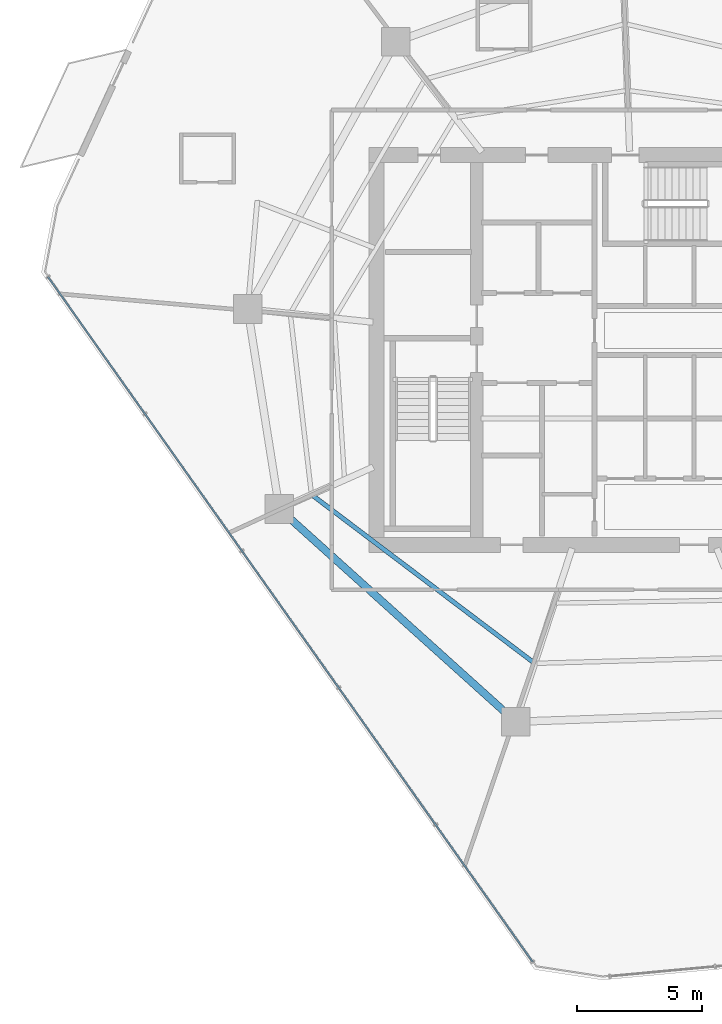
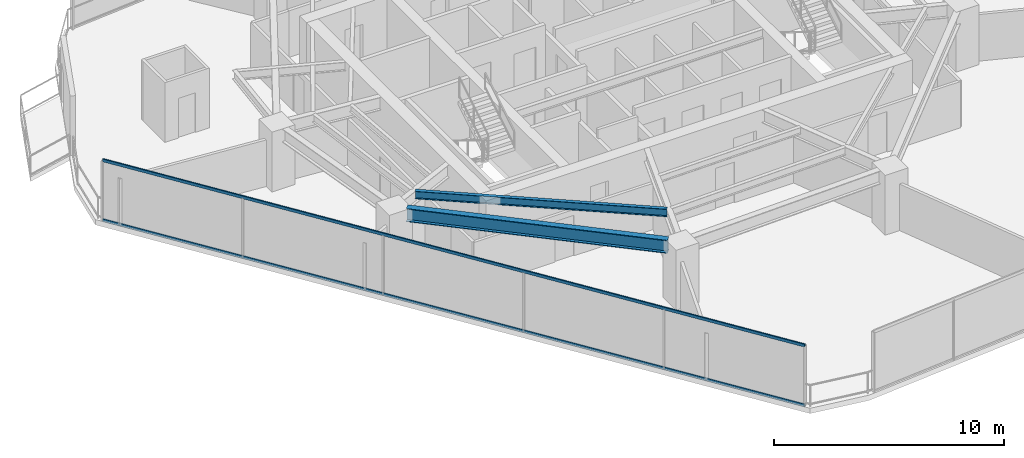
# One storey, part 3 of 30: 2 beams, 2 members, 1 element without a shape of its own.
"""IFC4 building model written with IfcOpenShell, lengths in metres."""

from ifc_helpers import new_model, si_unit, direction, frame, origin, origin_2d, place, context, subcontext, project, spatial, hollow_rectangle, i_section, extrude, material, layer, layer_set, material_profile, profile_set, type_object, element, aggregate, save


model = new_model("IFC4")

# Units and contexts
model_context = context("Model", 3, precision=1e-05, world=origin(), true_north=direction((0.0, 1.0)))
body_context = subcontext(model_context, "Body", "Model", "MODEL_VIEW")
ifc_project = project(units=[si_unit("LENGTHUNIT", "METRE"), si_unit("AREAUNIT", "SQUARE_METRE"), si_unit("VOLUMEUNIT", "CUBIC_METRE"), si_unit("PLANEANGLEUNIT", "RADIAN"), si_unit("MASSUNIT", "GRAM", prefix="KILO")], contexts=[model_context])

# Site, building, storey
site_placement = place(None, origin())
site = spatial("IfcSite", under=ifc_project, at=site_placement, CompositionType="ELEMENT")
building_placement = place(site_placement, origin())
building = spatial("IfcBuilding", under=site, at=building_placement, Name="Qarnah Convention Tower", CompositionType="ELEMENT")
storey_placement = place(building_placement, frame((0.0, 0.0, 86.699951171875)))
storey = spatial("IfcBuildingStorey", under=building, at=storey_placement, Name="L22", CompositionType="ELEMENT", Elevation=86.699951171875)

# Beams
ifc_material_1 = material(Name="Structural steel S355JR", Category="steel")
ifc_material_profile_1 = material_profile(ifc_material_1, i_section(OverallWidth=0.177978515625, OverallDepth=0.407958984375, WebThickness=0.008056640625, FlangeThickness=0.012939453125, at=origin_2d()), Name="W410X60")
ifc_profile_set_1 = profile_set([ifc_material_profile_1], Name="Structural steel S355JR")
beam_type_1 = type_object("IfcBeamType", Name="BM-JST-W410", PredefinedType="JOIST", material=ifc_profile_set_1)
beam_1_placement = place(storey_placement, frame((24.260986328125, 20.553955078125, 2.966064453125), z_axis=(0.797697280495, -0.603058080694, 0.0), x_axis=(0.603058080694, 0.797697280495, 0.0)))
element("IfcBeam", 1, at=beam_1_placement, inside=storey, type_object=beam_type_1, Name="L22 joist BM-L22-SJST-06", PredefinedType="JOIST", context=body_context, shape_type="SweptSolid", body=[
    extrude(i_section(OverallWidth=0.177978515625, OverallDepth=0.407958984375, WebThickness=0.008056640625, FlangeThickness=0.012939453125, at=origin_2d()), origin(), (0.0, 0.0, 1.0), 11.0205078125),
])
ifc_material_profile_2 = material_profile(ifc_material_1, i_section(OverallWidth=0.300048828125, OverallDepth=0.699951171875, WebThickness=0.01708984375, FlangeThickness=0.031982421875, at=origin_2d()), Name="HEB700")
ifc_profile_set_2 = profile_set([ifc_material_profile_2], Name="Structural steel S355JR")
beam_type_2 = type_object("IfcBeamType", Name="BM-RING-HEB700", PredefinedType="BEAM", material=ifc_profile_set_2)
beam_2_placement = place(storey_placement, frame((23.322998046875, 19.656982421875, 2.820068359375), z_axis=(0.743124603424, -0.669153064541, 0.0), x_axis=(0.669153064541, 0.743124603424, 0.0)))
element("IfcBeam", 2, at=beam_2_placement, inside=storey, type_object=beam_type_2, Name="L22 beam BM-L22-SPN-06", PredefinedType="BEAM", context=body_context, shape_type="SweptSolid", body=[
    extrude(i_section(OverallWidth=0.300048828125, OverallDepth=0.699951171875, WebThickness=0.01708984375, FlangeThickness=0.031982421875, at=origin_2d()), origin(), (0.0, 0.0, 1.0), 11.60107421875),
])

# Curtain wall, members
ifc_material_2 = material(Name="Tempered Low-E dark glass", Category="glass")
ifc_layer = layer(ifc_material_2, 0.169921875)
ifc_layer_set = layer_set([ifc_layer], Name="Tempered Low-E dark glass")
curtain_wall_type = type_object("IfcCurtainWallType", Name="CWS-02", PredefinedType="NOTDEFINED", material=ifc_layer_set)
curtain_wall_placement = place(storey_placement, origin())
curtain_wall = element("IfcCurtainWall", 3, at=curtain_wall_placement, inside=storey, type_object=curtain_wall_type, Name="L22 unitised curtain wall CW-L22-F2", PredefinedType="NOTDEFINED")
ifc_material_3 = material(Name="Black anodised aluminium", Category="aluminium")
ifc_material_profile_3 = material_profile(ifc_material_3, hollow_rectangle(XDim=0.06494140625, YDim=0.14990234375, WallThickness=0.00390625, at=origin_2d()), Name="TRN-65X150")
ifc_profile_set_3 = profile_set([ifc_material_profile_3], Name="Black anodised aluminium")
member_type = type_object("IfcMemberType", Name="TRN-T2", PredefinedType="USERDEFINED", material=ifc_profile_set_3)
member_1_placement = place(storey_placement, frame((33.0400390625, 1.910888671875, 0.0), z_axis=(-0.577585523373, 0.816330180251, 0.0), x_axis=(-0.816330180251, -0.577585523373, 0.0)))
member_1 = element("IfcMember", 4, at=member_1_placement, type_object=member_type, Name="CW-L22-F2 transom 1", ObjectType="TRANSOM", PredefinedType="USERDEFINED", context=body_context, shape_type="SweptSolid", body=[
    extrude(hollow_rectangle(XDim=0.06494140625, YDim=0.14990234375, WallThickness=0.00390625, at=origin_2d()), origin(), (0.0, 0.0, 1.0), 33.576171875),
])
member_2_placement = place(storey_placement, frame((33.0400390625, 1.910888671875, 3.170166015625), z_axis=(-0.577585523373, 0.816330180251, 0.0), x_axis=(-0.816330180251, -0.577585523373, 0.0)))
member_2 = element("IfcMember", 5, at=member_2_placement, type_object=member_type, Name="CW-L22-F2 transom 2", ObjectType="TRANSOM", PredefinedType="USERDEFINED", context=body_context, shape_type="SweptSolid", body=[
    extrude(hollow_rectangle(XDim=0.06494140625, YDim=0.14990234375, WallThickness=0.00390625, at=origin_2d()), origin(), (0.0, 0.0, 1.0), 33.576171875),
])
aggregate(curtain_wall, [member_1, member_2])

save(model, "model.ifc")
